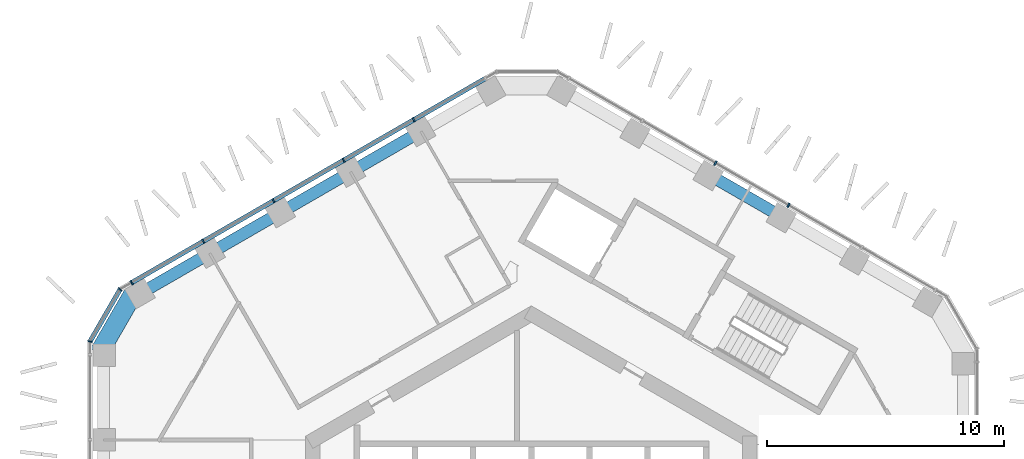
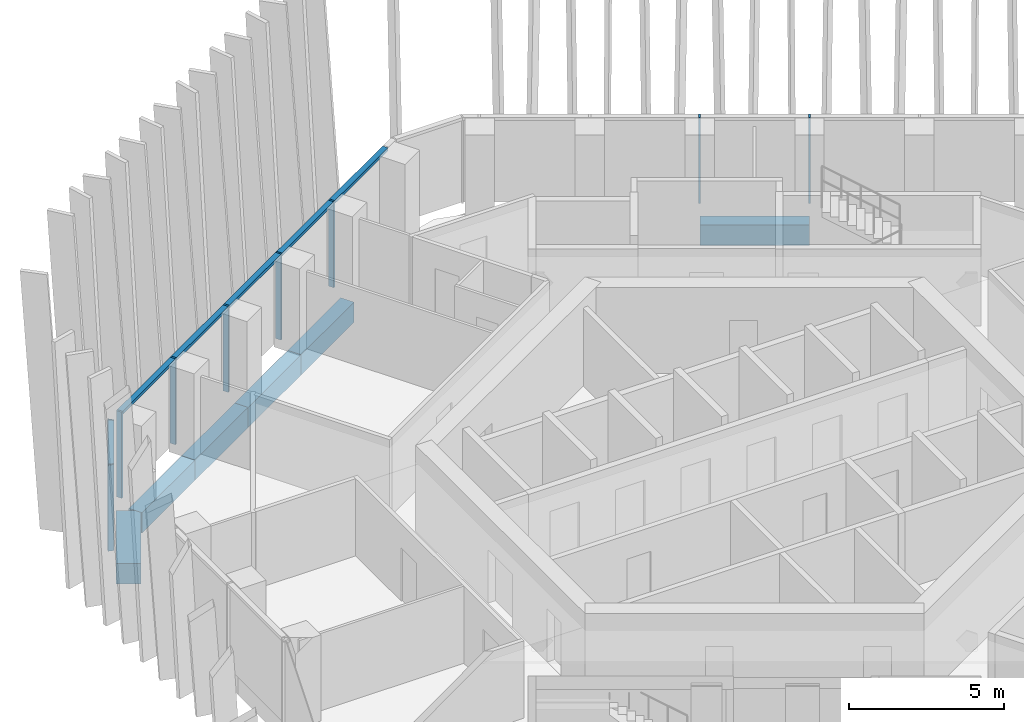
# One storey, part 6 of 20: 11 members, 6 beams, 3 elements without a shape of their own.
"""IFC4 building model written with IfcOpenShell, lengths in metres."""

from ifc_helpers import new_model, si_unit, direction, frame, origin, origin_2d, place, context, subcontext, project, spatial, rectangle, extrude, material, layer, layer_set, material_profile, profile_set, type_object, element, aggregate, save


model = new_model("IFC4")

# Units and contexts
model_context = context("Model", 3, precision=1e-05, world=origin(), true_north=direction((0.0, 1.0)))
body_context = subcontext(model_context, "Body", "Model", "MODEL_VIEW")
ifc_project = project(units=[si_unit("LENGTHUNIT", "METRE"), si_unit("AREAUNIT", "SQUARE_METRE"), si_unit("VOLUMEUNIT", "CUBIC_METRE"), si_unit("PLANEANGLEUNIT", "RADIAN"), si_unit("MASSUNIT", "GRAM", prefix="KILO")], contexts=[model_context])

# Site, building, storey
site_placement = place(None, origin())
site = spatial("IfcSite", under=ifc_project, at=site_placement, CompositionType="ELEMENT")
building_placement = place(site_placement, origin())
building = spatial("IfcBuilding", under=site, at=building_placement, Name="Ayvan Gate Tower", CompositionType="ELEMENT")
storey_placement = place(building_placement, frame((0.0, 0.0, 162.89990234375)))
storey = spatial("IfcBuildingStorey", under=building, at=storey_placement, Name="L43", CompositionType="ELEMENT", Elevation=162.89990234375)

# Beams
ifc_material_1 = material(Name="Concrete C40/50", Category="concrete")
ifc_material_profile_1 = material_profile(ifc_material_1, rectangle(XDim=0.800048828125, YDim=0.800048828125, at=origin_2d()), Name="RC 800x800")
ifc_profile_set_1 = profile_set([ifc_material_profile_1], Name="Concrete C40/50")
beam_type_1 = type_object("IfcBeamType", Name="Corner spandrel beam RC 800x800 C40/50", PredefinedType="BEAM", material=ifc_profile_set_1)
beam_1_placement = place(storey_placement, frame((-16.712158203125, 11.5712890625, -0.75), z_axis=(-0.499990139034, -0.866031096941, 0.0), x_axis=(0.866031096941, -0.499990139034, 0.0)))
element("IfcBeam", 1, at=beam_1_placement, inside=storey, type_object=beam_type_1, Name="SB-L43-18", PredefinedType="BEAM", context=body_context, shape_type="SweptSolid", body=[
    extrude(rectangle(XDim=0.800048828125, YDim=0.800048828125, at=origin_2d()), origin(), (0.0, 0.0, 1.0), 3.0),
])
ifc_material_profile_2 = material_profile(ifc_material_1, rectangle(XDim=0.5, YDim=0.800048828125, at=origin_2d()), Name="RC 500x800")
ifc_profile_set_2 = profile_set([ifc_material_profile_2], Name="Concrete C40/50")
beam_type_2 = type_object("IfcBeamType", Name="Spandrel beam RC 500x800 C40/50", PredefinedType="BEAM", material=ifc_profile_set_2)
beam_2_placement = place(storey_placement, frame((10.5458984375, 14.720947265625, -0.75), z_axis=(-0.86604797581, 0.499960902066, 0.0), x_axis=(-0.499960902066, -0.86604797581, 0.0)))
element("IfcBeam", 2, at=beam_2_placement, inside=storey, type_object=beam_type_2, Name="SB-L43-9", PredefinedType="BEAM", context=body_context, shape_type="SweptSolid", body=[
    extrude(rectangle(XDim=0.5, YDim=0.800048828125, at=origin_2d()), origin(), (0.0, 0.0, 1.0), 3.545166015625),
])
beam_3_placement = place(storey_placement, frame((-4.63623046875, 18.3232421875, -0.75), z_axis=(-0.866023250907, -0.500003728874, 0.0), x_axis=(0.500003728874, -0.866023250907, 0.0)))
element("IfcBeam", 3, at=beam_3_placement, inside=storey, type_object=beam_type_2, Name="SB-L43-14", PredefinedType="BEAM", context=body_context, shape_type="SweptSolid", body=[
    extrude(rectangle(XDim=0.5, YDim=0.800048828125, at=origin_2d()), origin(), (0.0, 0.0, 1.0), 3.43115234375),
])
beam_4_placement = place(storey_placement, frame((-7.607666015625, 16.607666015625, -0.75), z_axis=(-0.866036273972, -0.49998117181, 0.0), x_axis=(0.49998117181, -0.866036273972, 0.0)))
element("IfcBeam", 4, at=beam_4_placement, inside=storey, type_object=beam_type_2, Name="SB-L43-15", PredefinedType="BEAM", context=body_context, shape_type="SweptSolid", body=[
    extrude(rectangle(XDim=0.5, YDim=0.800048828125, at=origin_2d()), origin(), (0.0, 0.0, 1.0), 3.430908203125),
])
beam_5_placement = place(storey_placement, frame((-10.578857421875, 14.892333984375, -0.75), z_axis=(-0.866023250907, -0.500003728874, 0.0), x_axis=(0.500003728874, -0.866023250907, 0.0)))
element("IfcBeam", 5, at=beam_5_placement, inside=storey, type_object=beam_type_2, Name="SB-L43-16", PredefinedType="BEAM", context=body_context, shape_type="SweptSolid", body=[
    extrude(rectangle(XDim=0.5, YDim=0.800048828125, at=origin_2d()), origin(), (0.0, 0.0, 1.0), 3.43115234375),
])
beam_6_placement = place(storey_placement, frame((-13.55029296875, 13.1767578125, -0.75), z_axis=(-0.866005460335, -0.500034541477, 0.0), x_axis=(0.500034541477, -0.866005460335, 0.0)))
element("IfcBeam", 6, at=beam_6_placement, inside=storey, type_object=beam_type_2, Name="SB-L43-17", PredefinedType="BEAM", context=body_context, shape_type="SweptSolid", body=[
    extrude(rectangle(XDim=0.5, YDim=0.800048828125, at=origin_2d()), origin(), (0.0, 0.0, 1.0), 3.430908203125),
])

# Curtain wall, members
ifc_material_2 = material(Name="Bronze anodised aluminium", Category="aluminium")
ifc_layer_1 = layer(ifc_material_2, 0.199951171875)
ifc_layer_set_1 = layer_set([ifc_layer_1], Name="Bronze anodised aluminium")
curtain_wall_type_1 = type_object("IfcCurtainWallType", Name="Stick curtain wall CW-2", PredefinedType="NOTDEFINED", material=ifc_layer_set_1)
curtain_wall_1_placement = place(storey_placement, origin())
curtain_wall_1 = element("IfcCurtainWall", 7, at=curtain_wall_1_placement, inside=storey, type_object=curtain_wall_type_1, Name="Stick curtain wall CW-2 L43", PredefinedType="NOTDEFINED")
ifc_material_profile_3 = material_profile(ifc_material_2, rectangle(XDim=0.199951171875, YDim=0.070068359375, at=origin_2d()), Name="Stick curtain wall CW-2 mullion 200 x 70")
ifc_profile_set_3 = profile_set([ifc_material_profile_3], Name="Bronze anodised aluminium")
member_type_1 = type_object("IfcMemberType", Name="Stick curtain wall CW-2 mullion 200 x 70", PredefinedType="MULLION", material=ifc_profile_set_3)
member_1_placement = place(storey_placement, frame((-4.94921875, 18.806396484375, 0.0), z_axis=(0.0, 0.0, 1.0), x_axis=(-0.5, 0.866025403784, 0.0)))
member_1 = element("IfcMember", 8, at=member_1_placement, type_object=member_type_1, Name="CW-2 mullion 2", PredefinedType="MULLION", context=body_context, shape_type="SweptSolid", body=[
    extrude(rectangle(XDim=0.199951171875, YDim=0.070068359375, at=origin_2d()), origin(), (0.0, 0.0, 1.0), 3.400146484375),
])
member_2_placement = place(storey_placement, frame((-7.9033203125, 17.10107421875, 0.0), z_axis=(0.0, 0.0, 1.0), x_axis=(-0.5, 0.866025403784, 0.0)))
member_2 = element("IfcMember", 9, at=member_2_placement, type_object=member_type_1, Name="CW-2 mullion 3", PredefinedType="MULLION", context=body_context, shape_type="SweptSolid", body=[
    extrude(rectangle(XDim=0.199951171875, YDim=0.070068359375, at=origin_2d()), origin(), (0.0, 0.0, 1.0), 3.400146484375),
])
member_3_placement = place(storey_placement, frame((-10.858154296875, 15.39501953125, 0.0), z_axis=(0.0, 0.0, 1.0), x_axis=(-0.5, 0.866025403784, 0.0)))
member_3 = element("IfcMember", 10, at=member_3_placement, type_object=member_type_1, Name="CW-2 mullion 4", PredefinedType="MULLION", context=body_context, shape_type="SweptSolid", body=[
    extrude(rectangle(XDim=0.199951171875, YDim=0.070068359375, at=origin_2d()), origin(), (0.0, 0.0, 1.0), 3.400146484375),
])
member_4_placement = place(storey_placement, frame((-13.812255859375, 13.689453125, 0.0), z_axis=(0.0, 0.0, 1.0), x_axis=(-0.5, 0.866025403784, 0.0)))
member_4 = element("IfcMember", 11, at=member_4_placement, type_object=member_type_1, Name="CW-2 mullion 5", PredefinedType="MULLION", context=body_context, shape_type="SweptSolid", body=[
    extrude(rectangle(XDim=0.199951171875, YDim=0.070068359375, at=origin_2d()), origin(), (0.0, 0.0, 1.0), 3.400146484375),
])
member_5_placement = place(storey_placement, frame((-16.831298828125, 11.946533203125, 0.0), z_axis=(0.0, 0.0, 1.0), x_axis=(-0.5, 0.866025403784, 0.0)))
member_5 = element("IfcMember", 12, at=member_5_placement, type_object=member_type_1, Name="CW-2 mullion 6", PredefinedType="MULLION", context=body_context, shape_type="SweptSolid", body=[
    extrude(rectangle(XDim=0.199951171875, YDim=0.070068359375, at=origin_2d()), origin(), (0.0, 0.0, 1.0), 3.400146484375),
])

curtain_wall_2_placement = place(storey_placement, origin())
curtain_wall_2 = element("IfcCurtainWall", 13, at=curtain_wall_2_placement, inside=storey, type_object=curtain_wall_type_1, Name="Stick curtain wall CW-2 L43", PredefinedType="NOTDEFINED")
member_6_placement = place(storey_placement, frame((10.8310546875, 15.205078125, 0.0), z_axis=(0.0, 0.0, 1.0), x_axis=(0.5, 0.866025403784, 0.0)))
member_6 = element("IfcMember", 14, at=member_6_placement, type_object=member_type_1, Name="CW-2 mullion 3", PredefinedType="MULLION", context=body_context, shape_type="SweptSolid", body=[
    extrude(rectangle(XDim=0.199951171875, YDim=0.070068359375, at=origin_2d()), origin(), (0.0, 0.0, 1.0), 3.400146484375),
])
member_7_placement = place(storey_placement, frame((7.75244140625, 16.982666015625, 0.0), z_axis=(0.0, 0.0, 1.0), x_axis=(0.5, 0.866025403784, 0.0)))
member_7 = element("IfcMember", 15, at=member_7_placement, type_object=member_type_1, Name="CW-2 mullion 4", PredefinedType="MULLION", context=body_context, shape_type="SweptSolid", body=[
    extrude(rectangle(XDim=0.199951171875, YDim=0.070068359375, at=origin_2d()), origin(), (0.0, 0.0, 1.0), 3.400146484375),
])
aggregate(curtain_wall_2, [member_6, member_7])

# Member
ifc_material_profile_4 = material_profile(ifc_material_2, rectangle(XDim=0.199951171875, YDim=0.1201171875, at=origin_2d()), Name="Stick curtain wall CW-2 transom 200 x 120")
ifc_profile_set_4 = profile_set([ifc_material_profile_4], Name="Bronze anodised aluminium")
member_type_2 = type_object("IfcMemberType", Name="Stick curtain wall CW-2 transom 200 x 120", PredefinedType="USERDEFINED", material=ifc_profile_set_4)
member_8_placement = place(storey_placement, frame((-1.93017578125, 20.549560546875, 3.340087890625), z_axis=(-0.866028928476, -0.499993895005, 0.0), x_axis=(0.499993895005, -0.866028928476, 0.0)))
member_8 = element("IfcMember", 16, at=member_8_placement, type_object=member_type_2, Name="CW-2 transom 1", ObjectType="TRANSOM", PredefinedType="USERDEFINED", context=body_context, shape_type="SweptSolid", body=[
    extrude(rectangle(XDim=0.199951171875, YDim=0.1201171875, at=origin_2d()), origin(), (0.0, 0.0, 1.0), 17.206298828125),
])

aggregate(curtain_wall_1, [member_1, member_2, member_3, member_4, member_5, member_8])

# Curtain wall, members
ifc_layer_2 = layer(ifc_material_2, 0.199951171875)
ifc_layer_set_2 = layer_set([ifc_layer_2], Name="Bronze anodised aluminium")
curtain_wall_type_2 = type_object("IfcCurtainWallType", Name="Stick curtain wall CW-6", PredefinedType="NOTDEFINED", material=ifc_layer_set_2)
curtain_wall_3_placement = place(storey_placement, origin())
curtain_wall_3 = element("IfcCurtainWall", 17, at=curtain_wall_3_placement, inside=storey, type_object=curtain_wall_type_2, Name="Stick curtain wall CW-6 L43", PredefinedType="NOTDEFINED")
ifc_material_profile_5 = material_profile(ifc_material_2, rectangle(XDim=0.199951171875, YDim=0.050048828125, at=origin_2d()), Name="Stick curtain wall CW-6 mullion 200 x 50")
ifc_profile_set_5 = profile_set([ifc_material_profile_5], Name="Bronze anodised aluminium")
member_type_3 = type_object("IfcMemberType", Name="Stick curtain wall CW-6 mullion 200 x 50", PredefinedType="MULLION", material=ifc_profile_set_5)
member_9_placement = place(storey_placement, frame((-17.316162109375, 11.66650390625, 0.0), z_axis=(0.0, 0.0, 1.0), x_axis=(-0.707106781187, 0.707106781187, 0.0)))
member_9 = element("IfcMember", 18, at=member_9_placement, type_object=member_type_3, Name="CW-6 mullion 2", PredefinedType="MULLION", context=body_context, shape_type="SweptSolid", body=[
    extrude(rectangle(XDim=0.199951171875, YDim=0.050048828125, at=origin_2d()), origin(), (0.0, 0.0, 1.0), 3.400146484375),
])
member_10_placement = place(storey_placement, frame((-18.58349609375, 9.471435546875, 0.0), z_axis=(0.0, 0.0, 1.0), x_axis=(-0.965925826289, 0.258819045103, 0.0)))
member_10 = element("IfcMember", 19, at=member_10_placement, type_object=member_type_3, Name="CW-6 mullion 3", PredefinedType="MULLION", context=body_context, shape_type="SweptSolid", body=[
    extrude(rectangle(XDim=0.199951171875, YDim=0.050048828125, at=origin_2d()), origin(), (0.0, 0.0, 1.0), 3.400146484375),
])
ifc_material_profile_6 = material_profile(ifc_material_2, rectangle(XDim=0.199951171875, YDim=0.1201171875, at=origin_2d()), Name="Stick curtain wall CW-6 transom 200 x 120")
ifc_profile_set_6 = profile_set([ifc_material_profile_6], Name="Bronze anodised aluminium")
member_type_4 = type_object("IfcMemberType", Name="Stick curtain wall CW-6 transom 200 x 120", PredefinedType="USERDEFINED", material=ifc_profile_set_6)
member_11_placement = place(storey_placement, frame((-17.32861328125, 11.644775390625, 3.340087890625), z_axis=(-0.500059846627, -0.865990848561, 0.0), x_axis=(0.865990848561, -0.500059846627, 0.0)))
member_11 = element("IfcMember", 20, at=member_11_placement, type_object=member_type_4, Name="CW-6 transom 2", ObjectType="TRANSOM", PredefinedType="USERDEFINED", context=body_context, shape_type="SweptSolid", body=[
    extrude(rectangle(XDim=0.199951171875, YDim=0.1201171875, at=origin_2d()), origin(), (0.0, 0.0, 1.0), 2.484619140625),
])
aggregate(curtain_wall_3, [member_9, member_10, member_11])

save(model, "model.ifc")
